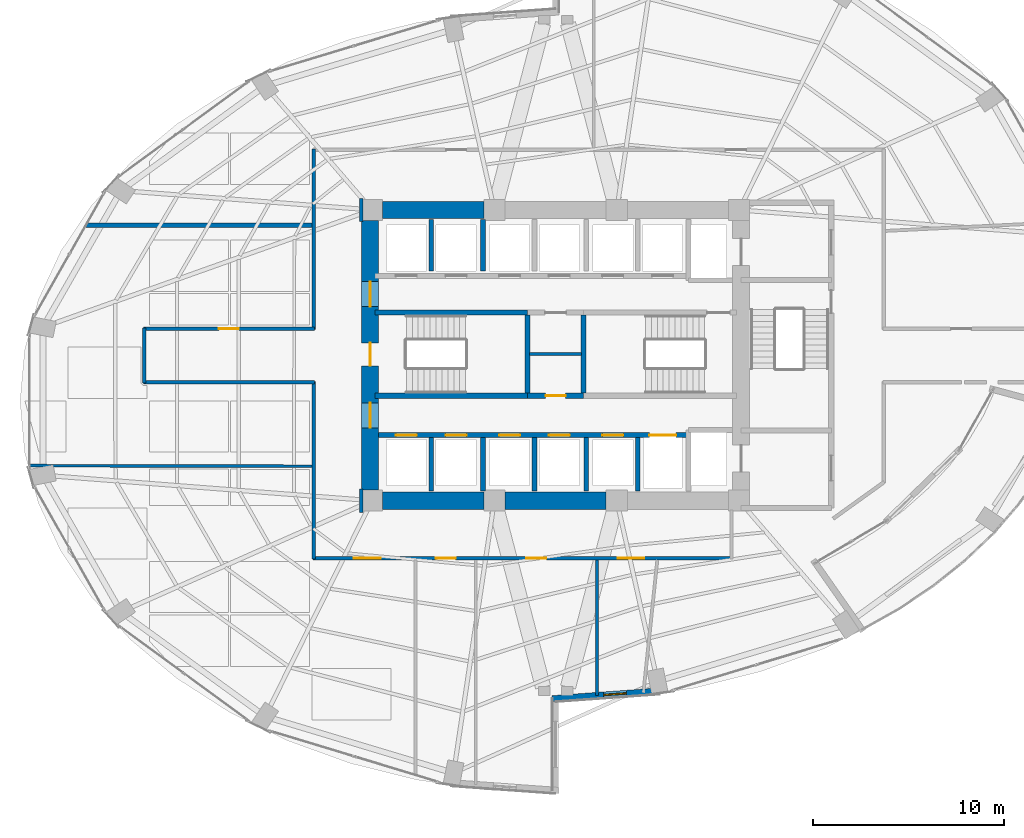
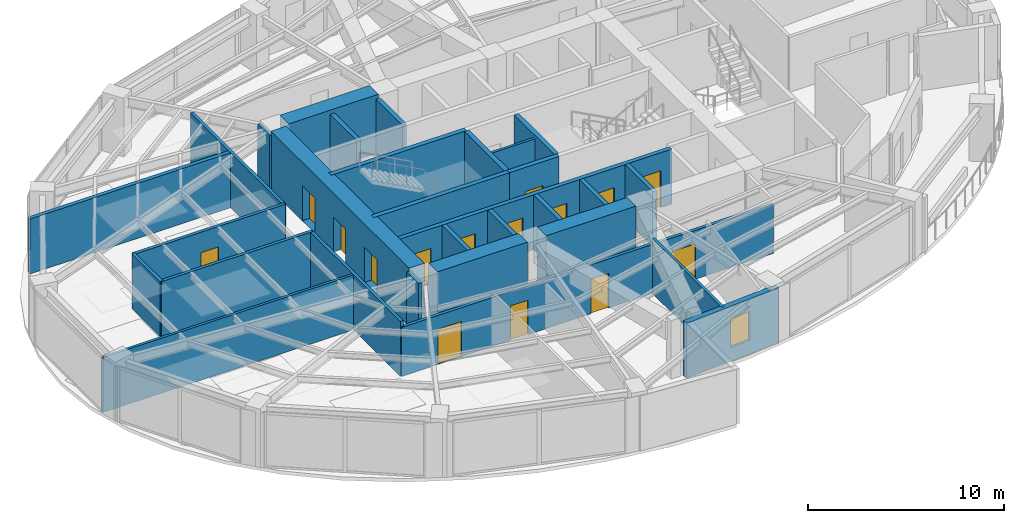
# One storey, part 20 of 24: 30 walls, 15 doors, 1 window, 16 openings.
"""IFC4 building model written with IfcOpenShell, lengths in metres."""

from ifc_helpers import new_model, si_unit, direction, frame, frame_2d, origin, place, context, subcontext, project, spatial, rectangle, extrude, material, layer, layer_set, type_object, element, fill, save


model = new_model("IFC4")

# Units and contexts
model_context = context("Model", 3, precision=1e-05, world=origin(), true_north=direction((0.0, 1.0)))
body_context = subcontext(model_context, "Body", "Model", "MODEL_VIEW")
ifc_project = project(units=[si_unit("LENGTHUNIT", "METRE"), si_unit("AREAUNIT", "SQUARE_METRE"), si_unit("VOLUMEUNIT", "CUBIC_METRE"), si_unit("PLANEANGLEUNIT", "RADIAN"), si_unit("MASSUNIT", "GRAM", prefix="KILO")], contexts=[model_context])

# Site, building, storey
site_placement = place(None, origin())
site = spatial("IfcSite", under=ifc_project, at=site_placement, CompositionType="ELEMENT")
building_placement = place(site_placement, origin())
building = spatial("IfcBuilding", under=site, at=building_placement, Name="Lazwardi Medical Tower", CompositionType="ELEMENT")
storey_placement = place(building_placement, frame((0.0, 0.0, 58.031982421875)))
storey = spatial("IfcBuildingStorey", under=building, at=storey_placement, Name="L14", CompositionType="ELEMENT", Elevation=58.031982421875)

# Wall
ifc_material_1 = material(Name="Fire-rated gypsum board on steel stud", Category="steel")
ifc_layer_1 = layer(ifc_material_1, 0.179931640625)
ifc_layer_set_1 = layer_set([ifc_layer_1], Name="Fire-rated gypsum board on steel stud")
wall_type_1 = type_object("IfcWallType", Name="WL-COR-180", PredefinedType="PARTITIONING", material=ifc_layer_set_1)
wall_1_placement = place(storey_placement, frame((14.5, 26.56005859375, 0.0), z_axis=(0.0, 0.0, 1.0), x_axis=(0.0, 1.0, 0.0)))
element("IfcWall", 1, at=wall_1_placement, inside=storey, type_object=wall_type_1, Name="L14 Corridor partition 1", PredefinedType="PARTITIONING", context=body_context, shape_type="SweptSolid", body=[
    extrude(rectangle(XDim=2.8798828125, YDim=0.179931640625, at=frame_2d((1.43994140625, 0.0))), origin(), (0.0, 0.0, 1.0), 3.427978515625),
])

# Wall, opening, door
wall_2_placement = place(storey_placement, frame((14.4599609375, 29.39990234375, 0.0), z_axis=(0.0, 0.0, 1.0), x_axis=(1.0, 0.0, 0.0)))
wall_2 = element("IfcWall", 2, at=wall_2_placement, inside=storey, type_object=wall_type_1, Name="L14 Corridor partition 2", PredefinedType="PARTITIONING", context=body_context, shape_type="SweptSolid", body=[
    extrude(rectangle(XDim=8.929931640625, YDim=0.179931640625, at=frame_2d((4.46484375, 0.0))), origin(), (0.0, 0.0, 1.0), 3.427978515625),
])
opening_1_placement = place(wall_2_placement, frame((3.93994140625, 0.0, 0.0)))
opening_1 = element("IfcOpeningElement", 3, at=opening_1_placement, cuts=wall_2, Name="Opening D-L14-014", PredefinedType="OPENING", context=body_context, shape_type="SweptSolid", body=[
    extrude(rectangle(XDim=1.050048828125, YDim=2.14990234375, at=frame_2d((0.52490234375, 1.074951171875))), frame((0.0, 0.099853515625, 0.0), z_axis=(0.0, -1.0, 0.0), x_axis=(1.0, 0.0, 0.0)), (0.0, 0.0, 1.0), 0.199951171875),
])
ifc_material_2 = material(Name="Anti-microbial laminate hospital leaf")
door_type_1 = type_object("IfcDoorType", Name="DR-CLN-1050", OperationType="NOTDEFINED", PredefinedType="DOOR", material=ifc_material_2)
door_1_placement = place(opening_1_placement, origin())
door_1 = element("IfcDoor", 4, at=door_1_placement, inside=storey, type_object=door_type_1, Name="L14 Clinical Specialist Office Door 08", OperationType="SINGLE_SWING_RIGHT", OverallHeight=2.14990234375, OverallWidth=1.050048828125, PredefinedType="DOOR", context=body_context, shape_type="SweptSolid", body=[
    extrude(rectangle(XDim=1.050048828125, YDim=2.14990234375, at=frame_2d((0.52490234375, 1.074951171875))), frame((0.0, 0.02490234375, 0.0), z_axis=(0.0, -1.0, 0.0), x_axis=(1.0, 0.0, 0.0)), (0.0, 0.0, 1.0), 0.050048828125),
])
fill(opening_1, door_1)

# Walls
wall_3_placement = place(storey_placement, frame((23.35009765625, 29.360107421875, 0.0), z_axis=(0.0, 0.0, 1.0), x_axis=(0.0, 1.0, 0.0)))
element("IfcWall", 5, at=wall_3_placement, inside=storey, type_object=wall_type_1, Name="L14 Corridor partition 3", PredefinedType="PARTITIONING", context=body_context, shape_type="SweptSolid", body=[
    extrude(rectangle(XDim=9.429931640625, YDim=0.179931640625, at=frame_2d((4.71484375, 0.0))), origin(), (0.0, 0.0, 1.0), 3.427978515625),
])
for number, where, z_axis, x_axis, name in (
    (6, (25.830078125, 36.2099609375, 0.0), (0.0, 0.0, 1.0), (0.0, -1.0, 0.0), "L14 Corridor partition 14"),
    (7, (25.830078125, 21.010009765625, 0.0), (0.0, 0.0, 1.0), (0.0, -1.0, 0.0), "L14 Corridor partition 15"),
):
    element("IfcWall", number, at=place(storey_placement, frame(where, z_axis=z_axis, x_axis=x_axis)), inside=storey, type_object=wall_type_1, Name=name, PredefinedType="PARTITIONING", context=body_context, shape_type="SweptSolid", body=[
        extrude(rectangle(XDim=1.219970703125, YDim=0.179931640625, at=frame_2d((0.60986328125, 0.0))), origin(), (0.0, 0.0, 1.0), 3.427978515625),
    ])

# Wall, openings, doors
wall_4_placement = place(storey_placement, frame((45.239990234375, 17.39990234375, 0.0), z_axis=(0.0, 0.0, 1.0), x_axis=(-1.0, 0.0, 0.0)))
wall_4 = element("IfcWall", 8, at=wall_4_placement, inside=storey, type_object=wall_type_1, Name="L14 Corridor partition 17", PredefinedType="PARTITIONING", context=body_context, shape_type="SweptSolid", body=[
    extrude(rectangle(XDim=21.929931640625, YDim=0.179931640625, at=frame_2d((10.96484375, 0.0))), origin(), (0.0, 0.0, 1.0), 3.052978515625),
])
opening_2_placement = place(wall_4_placement, frame((18.39111328125, 0.0, 0.0)))
opening_2 = element("IfcOpeningElement", 9, at=opening_2_placement, cuts=wall_4, Name="Opening D-L14-007", PredefinedType="OPENING", context=body_context, shape_type="SweptSolid", body=[
    extrude(rectangle(XDim=1.39990234375, YDim=2.199951171875, at=frame_2d((0.699951171875, 1.10009765625))), frame((0.0, 0.099853515625, 0.0), z_axis=(0.0, -1.0, 0.0), x_axis=(1.0, 0.0, 0.0)), (0.0, 0.0, 1.0), 0.199951171875),
])
opening_3_placement = place(wall_4_placement, frame((14.465087890625, 0.0, 0.0)))
opening_3 = element("IfcOpeningElement", 10, at=opening_3_placement, cuts=wall_4, Name="Opening D-L14-008", PredefinedType="OPENING", context=body_context, shape_type="SweptSolid", body=[
    extrude(rectangle(XDim=1.050048828125, YDim=2.14990234375, at=frame_2d((0.52490234375, 1.074951171875))), frame((0.0, 0.099853515625, 0.0), z_axis=(0.0, -1.0, 0.0), x_axis=(1.0, 0.0, 0.0)), (0.0, 0.0, 1.0), 0.199951171875),
])
opening_4_placement = place(wall_4_placement, frame((9.715087890625, 0.0, 0.0)))
opening_4 = element("IfcOpeningElement", 11, at=opening_4_placement, cuts=wall_4, Name="Opening D-L14-009", PredefinedType="OPENING", context=body_context, shape_type="SweptSolid", body=[
    extrude(rectangle(XDim=1.050048828125, YDim=2.14990234375, at=frame_2d((0.52490234375, 1.074951171875))), frame((0.0, 0.099853515625, 0.0), z_axis=(0.0, -1.0, 0.0), x_axis=(1.0, 0.0, 0.0)), (0.0, 0.0, 1.0), 0.199951171875),
])
opening_5_placement = place(wall_4_placement, frame((4.594482421875, 0.0, 0.0)))
opening_5 = element("IfcOpeningElement", 12, at=opening_5_placement, cuts=wall_4, Name="Opening D-L14-010", PredefinedType="OPENING", context=body_context, shape_type="SweptSolid", body=[
    extrude(rectangle(XDim=1.39990234375, YDim=2.199951171875, at=frame_2d((0.699951171875, 1.10009765625))), frame((0.0, 0.099853515625, 0.0), z_axis=(0.0, -1.0, 0.0), x_axis=(1.0, 0.0, 0.0)), (0.0, 0.0, 1.0), 0.199951171875),
])
door_type_2 = type_object("IfcDoorType", Name="DR-BED-1400", OperationType="NOTDEFINED", PredefinedType="DOOR", material=ifc_material_2)
door_2_placement = place(opening_2_placement, origin())
door_2 = element("IfcDoor", 13, at=door_2_placement, inside=storey, type_object=door_type_2, Name="L14 Sky Garden Lounge Door 01", OperationType="SINGLE_SWING_LEFT", OverallHeight=2.199951171875, OverallWidth=1.39990234375, PredefinedType="DOOR", context=body_context, shape_type="SweptSolid", body=[
    extrude(rectangle(XDim=1.39990234375, YDim=2.199951171875, at=frame_2d((0.699951171875, 1.10009765625))), frame((0.0, 0.02490234375, 0.0), z_axis=(0.0, -1.0, 0.0), x_axis=(1.0, 0.0, 0.0)), (0.0, 0.0, 1.0), 0.050048828125),
])
fill(opening_2, door_2)
door_3_placement = place(opening_5_placement, origin())
door_3 = element("IfcDoor", 14, at=door_3_placement, inside=storey, type_object=door_type_2, Name="L14 Department Reception Foyer Door 04", OperationType="SINGLE_SWING_RIGHT", OverallHeight=2.199951171875, OverallWidth=1.39990234375, PredefinedType="DOOR", context=body_context, shape_type="SweptSolid", body=[
    extrude(rectangle(XDim=1.39990234375, YDim=2.199951171875, at=frame_2d((0.699951171875, 1.10009765625))), frame((0.0, 0.02490234375, 0.0), z_axis=(0.0, -1.0, 0.0), x_axis=(1.0, 0.0, 0.0)), (0.0, 0.0, 1.0), 0.050048828125),
])
fill(opening_5, door_3)
door_4_placement = place(opening_3_placement, origin())
door_4 = element("IfcDoor", 15, at=door_4_placement, inside=storey, type_object=door_type_1, Name="L14 Outpatient Consultation Suite Door 02", OperationType="SINGLE_SWING_RIGHT", OverallHeight=2.14990234375, OverallWidth=1.050048828125, PredefinedType="DOOR", context=body_context, shape_type="SweptSolid", body=[
    extrude(rectangle(XDim=1.050048828125, YDim=2.14990234375, at=frame_2d((0.52490234375, 1.074951171875))), frame((0.0, 0.02490234375, 0.0), z_axis=(0.0, -1.0, 0.0), x_axis=(1.0, 0.0, 0.0)), (0.0, 0.0, 1.0), 0.050048828125),
])
fill(opening_3, door_4)
door_5_placement = place(opening_4_placement, origin())
door_5 = element("IfcDoor", 16, at=door_5_placement, inside=storey, type_object=door_type_1, Name="L14 Medical Duty Staff Room Door 03", OperationType="SINGLE_SWING_LEFT", OverallHeight=2.14990234375, OverallWidth=1.050048828125, PredefinedType="DOOR", context=body_context, shape_type="SweptSolid", body=[
    extrude(rectangle(XDim=1.050048828125, YDim=2.14990234375, at=frame_2d((0.52490234375, 1.074951171875))), frame((0.0, 0.02490234375, 0.0), z_axis=(0.0, -1.0, 0.0), x_axis=(1.0, 0.0, 0.0)), (0.0, 0.0, 1.0), 0.050048828125),
])
fill(opening_4, door_5)

# Walls
wall_5_placement = place(storey_placement, frame((23.35009765625, 17.360107421875, 0.0), z_axis=(0.0, 0.0, 1.0), x_axis=(0.0, 1.0, 0.0)))
element("IfcWall", 17, at=wall_5_placement, inside=storey, type_object=wall_type_1, Name="L14 Corridor partition 18", PredefinedType="PARTITIONING", context=body_context, shape_type="SweptSolid", body=[
    extrude(rectangle(XDim=9.27978515625, YDim=0.179931640625, at=frame_2d((4.639892578125, 0.0))), origin(), (0.0, 0.0, 1.0), 3.427978515625),
])
wall_6_placement = place(storey_placement, frame((23.389892578125, 26.60009765625, 0.0), z_axis=(0.0, 0.0, 1.0), x_axis=(-1.0, 0.0, 0.0)))
element("IfcWall", 18, at=wall_6_placement, inside=storey, type_object=wall_type_1, Name="L14 Corridor partition 19", PredefinedType="PARTITIONING", context=body_context, shape_type="SweptSolid", body=[
    extrude(rectangle(XDim=8.929931640625, YDim=0.179931640625, at=frame_2d((4.46484375, 0.0))), origin(), (0.0, 0.0, 1.0), 3.427978515625),
])

# Wall, openings, doors
ifc_material_3 = material(Name="Concrete C80/95", Category="concrete")
ifc_layer_2 = layer(ifc_material_3, 0.89990234375)
ifc_layer_set_2 = layer_set([ifc_layer_2], Name="Concrete C80/95")
wall_type_2 = type_object("IfcWallType", Name="WL-CORE-900", PredefinedType="SHEAR", material=ifc_layer_set_2)
wall_7_placement = place(storey_placement, frame((26.300048828125, 20.949951171875, 0.0), z_axis=(0.0, 0.0, 1.0), x_axis=(0.0, 1.0, 0.0)))
wall_7 = element("IfcWall", 19, at=wall_7_placement, inside=storey, type_object=wall_type_2, Name="Core wall CW-S1 west L14", PredefinedType="SHEAR", context=body_context, shape_type="SweptSolid", body=[
    extrude(rectangle(XDim=14.10009765625, YDim=0.89990234375, at=frame_2d((7.050048828125, 0.0))), origin(), (0.0, 0.0, 1.0), 3.64794921875),
])
opening_6_placement = place(wall_7_placement, frame((6.5, 0.0, 0.0)))
opening_6 = element("IfcOpeningElement", 20, at=opening_6_placement, cuts=wall_7, Name="Opening D-L14-015", PredefinedType="OPENING", context=body_context, shape_type="SweptSolid", body=[
    extrude(rectangle(XDim=1.199951171875, YDim=2.14990234375, at=frame_2d((0.60009765625, 1.074951171875))), frame((0.0, 0.4599609375, 0.0), z_axis=(0.0, -1.0, 0.0), x_axis=(1.0, 0.0, 0.0)), (0.0, 0.0, 1.0), 0.919921875),
])
opening_7_placement = place(wall_7_placement, frame((9.60009765625, 0.0, 0.0)))
opening_7 = element("IfcOpeningElement", 21, at=opening_7_placement, cuts=wall_7, Name="Opening D-L14-005", PredefinedType="OPENING", context=body_context, shape_type="SweptSolid", body=[
    extrude(rectangle(XDim=1.300048828125, YDim=2.199951171875, at=frame_2d((0.64990234375, 1.10009765625))), frame((0.0, 0.4599609375, 0.0), z_axis=(0.0, -1.0, 0.0), x_axis=(1.0, 0.0, 0.0)), (0.0, 0.0, 1.0), 0.919921875),
])
opening_8_placement = place(wall_7_placement, frame((3.260009765625, 0.0, 0.0)))
opening_8 = element("IfcOpeningElement", 22, at=opening_8_placement, cuts=wall_7, Name="Opening D-L14-006", PredefinedType="OPENING", context=body_context, shape_type="SweptSolid", body=[
    extrude(rectangle(XDim=1.300048828125, YDim=2.199951171875, at=frame_2d((0.64990234375, 1.10009765625))), frame((0.0, 0.4599609375, 0.0), z_axis=(0.0, -1.0, 0.0), x_axis=(1.0, 0.0, 0.0)), (0.0, 0.0, 1.0), 0.919921875),
])
ifc_material_4 = material(Name="Fire-rated steel leaf and frame", Category="steel")
door_type_3 = type_object("IfcDoorType", Name="DR-FFL-1300", OperationType="NOTDEFINED", PredefinedType="DOOR", material=ifc_material_4)
door_6_placement = place(opening_7_placement, origin())
door_6 = element("IfcDoor", 23, at=door_6_placement, inside=storey, type_object=door_type_3, Name="L14 North Lift Lobby Door", OperationType="SINGLE_SWING_RIGHT", OverallHeight=2.199951171875, OverallWidth=1.300048828125, PredefinedType="DOOR", context=body_context, shape_type="SweptSolid", body=[
    extrude(rectangle(XDim=1.300048828125, YDim=2.199951171875, at=frame_2d((0.64990234375, 1.10009765625))), frame((0.0, 0.02490234375, 0.0), z_axis=(0.0, -1.0, 0.0), x_axis=(1.0, 0.0, 0.0)), (0.0, 0.0, 1.0), 0.050048828125),
])
fill(opening_7, door_6)
door_7_placement = place(opening_8_placement, origin())
door_7 = element("IfcDoor", 24, at=door_7_placement, inside=storey, type_object=door_type_3, Name="L14 South Lift Lobby Door", OperationType="SINGLE_SWING_LEFT", OverallHeight=2.199951171875, OverallWidth=1.300048828125, PredefinedType="DOOR", context=body_context, shape_type="SweptSolid", body=[
    extrude(rectangle(XDim=1.300048828125, YDim=2.199951171875, at=frame_2d((0.64990234375, 1.10009765625))), frame((0.0, 0.02490234375, 0.0), z_axis=(0.0, -1.0, 0.0), x_axis=(1.0, 0.0, 0.0)), (0.0, 0.0, 1.0), 0.050048828125),
])
fill(opening_8, door_7)
door_type_4 = type_object("IfcDoorType", Name="DR-STR-1200", OperationType="NOTDEFINED", PredefinedType="DOOR", material=ifc_material_4)
door_8_placement = place(opening_6_placement, origin())
door_8 = element("IfcDoor", 25, at=door_8_placement, inside=storey, type_object=door_type_4, Name="L14 Exit Stair ST1 Door", OperationType="SINGLE_SWING_RIGHT", OverallHeight=2.14990234375, OverallWidth=1.199951171875, PredefinedType="DOOR", context=body_context, shape_type="SweptSolid", body=[
    extrude(rectangle(XDim=1.199951171875, YDim=2.14990234375, at=frame_2d((0.60009765625, 1.074951171875))), frame((0.0, 0.02490234375, 0.0), z_axis=(0.0, -1.0, 0.0), x_axis=(1.0, 0.0, 0.0)), (0.0, 0.0, 1.0), 0.050048828125),
])
fill(opening_6, door_8)

# Walls
for number, where, z_axis, x_axis, name in (
    (26, (26.949951171875, 20.39990234375, 0.0), (0.0, 0.0, 1.0), (1.0, 0.0, 0.0), "Core wall CW-S1 S1 L14"),
    (27, (26.949951171875, 35.60009765625, 0.0), (0.0, 0.0, 1.0), (1.0, 0.0, 0.0), "Core wall CW-S1 N1 L14"),
):
    element("IfcWall", number, at=place(storey_placement, frame(where, z_axis=z_axis, x_axis=x_axis)), inside=storey, type_object=wall_type_2, Name=name, PredefinedType="SHEAR", context=body_context, shape_type="SweptSolid", body=[
        extrude(rectangle(XDim=5.300048828125, YDim=0.89990234375, at=frame_2d((2.64990234375, 0.0))), origin(), (0.0, 0.0, 1.0), 3.64794921875),
    ])
wall_8_placement = place(storey_placement, frame((33.35009765625, 20.39990234375, 0.0), z_axis=(0.0, 0.0, 1.0), x_axis=(1.0, 0.0, 0.0)))
element("IfcWall", 28, at=wall_8_placement, inside=storey, type_object=wall_type_2, Name="Core wall CW-S1 S2 L14", PredefinedType="SHEAR", context=body_context, shape_type="SweptSolid", body=[
    extrude(rectangle(XDim=5.2998046875, YDim=0.89990234375, at=frame_2d((2.64990234375, 0.0))), origin(), (0.0, 0.0, 1.0), 3.64794921875),
])

# Wall, opening, window
ifc_material_5 = material(Name="Precast concrete C45/55", Category="concrete")
ifc_layer_3 = layer(ifc_material_5, 0.320068359375)
ifc_layer_set_3 = layer_set([ifc_layer_3], Name="Precast concrete C45/55")
wall_type_3 = type_object("IfcWallType", Name="WL-IWAN-320", PredefinedType="SOLIDWALL", material=ifc_layer_set_3)
wall_9_placement = place(storey_placement, frame((35.820556640625, 10.047119140625, 0.0), z_axis=(0.0, 0.0, 1.0), x_axis=(0.997422321809, 0.071754525696, 0.0)))
wall_9 = element("IfcWall", 29, at=wall_9_placement, inside=storey, type_object=wall_type_3, Name="L14 Iwan Portal Return Wall SE_ret", PredefinedType="SOLIDWALL", context=body_context, shape_type="SweptSolid", body=[
    extrude(rectangle(XDim=5.67529296875, YDim=0.320068359375, at=frame_2d((2.837646484375, 0.0))), origin(), (0.0, 0.0, 1.0), 3.427978515625),
])
opening_9_placement = place(wall_9_placement, frame((2.69677734375, 0.0, 0.85009765625)))
opening_9 = element("IfcOpeningElement", 30, at=opening_9_placement, cuts=wall_9, Name="Opening WN-04", PredefinedType="OPENING", context=body_context, shape_type="SweptSolid", body=[
    extrude(rectangle(XDim=1.199951171875, YDim=1.800048828125, at=frame_2d((0.60009765625, 0.89990234375))), frame((0.0, 0.169921875, 0.0), z_axis=(0.0, -1.0, 0.0), x_axis=(1.0, 0.0, 0.0)), (0.0, 0.0, 1.0), 0.340087890625),
])
ifc_material_6 = material(Name="Low-e bronze solar control double glazing", Category="glass")
window_type = type_object("IfcWindowType", Name="WIN-DRUM-1200", PartitioningType="SINGLE_PANEL", PredefinedType="WINDOW", material=ifc_material_6)
window_placement = place(opening_9_placement, origin())
window = element("IfcWindow", 31, at=window_placement, inside=storey, type_object=window_type, Name="L14 Iwan Slot Window SE_ret", OverallHeight=1.800048828125, OverallWidth=1.199951171875, PartitioningType="SINGLE_PANEL", PredefinedType="WINDOW", context=body_context, shape_type="SweptSolid", body=[
    extrude(rectangle(XDim=1.199951171875, YDim=1.800048828125, at=frame_2d((0.60009765625, 0.89990234375))), frame((0.0, 0.030029296875, 0.0), z_axis=(0.0, -1.0, 0.0), x_axis=(1.0, 0.0, 0.0)), (0.0, 0.0, 1.0), 0.06005859375),
])
fill(opening_9, window)

# Wall, openings, doors
ifc_material_7 = material(Name="Autoclaved aerated concrete blockwork", Category="masonry")
ifc_layer_4 = layer(ifc_material_7, 0.25)
ifc_layer_set_4 = layer_set([ifc_layer_4], Name="Autoclaved aerated concrete blockwork")
wall_type_4 = type_object("IfcWallType", Name="WL-SHAFT-250", PredefinedType="SOLIDWALL", material=ifc_layer_set_4)
wall_10_placement = place(storey_placement, frame((26.75, 23.830078125, 0.0), z_axis=(0.0, 0.0, 1.0), x_axis=(1.0, 0.0, 0.0)))
wall_10 = element("IfcWall", 32, at=wall_10_placement, inside=storey, type_object=wall_type_4, Name="L14 South lift bank front wall", PredefinedType="SOLIDWALL", context=body_context, shape_type="SweptSolid", body=[
    extrude(rectangle(XDim=16.199951171875, YDim=0.25, at=frame_2d((8.10009765625, 0.0))), origin(), (0.0, 0.0, 1.0), 3.427978515625),
])
opening_10_placement = place(wall_10_placement, frame((0.89990234375, 0.0, 0.0)))
opening_10 = element("IfcOpeningElement", 33, at=opening_10_placement, cuts=wall_10, Name="Opening LD-L14-006", PredefinedType="OPENING", context=body_context, shape_type="SweptSolid", body=[
    extrude(rectangle(XDim=1.10009765625, YDim=2.199951171875, at=frame_2d((0.550048828125, 1.10009765625))), frame((0.0, 0.135009765625, 0.0), z_axis=(0.0, -1.0, 0.0), x_axis=(1.0, 0.0, 0.0)), (0.0, 0.0, 1.0), 0.27001953125),
])
opening_11_placement = place(wall_10_placement, frame((3.5, 0.0, 0.0)))
opening_11 = element("IfcOpeningElement", 34, at=opening_11_placement, cuts=wall_10, Name="Opening LD-L14-007", PredefinedType="OPENING", context=body_context, shape_type="SweptSolid", body=[
    extrude(rectangle(XDim=1.10009765625, YDim=2.199951171875, at=frame_2d((0.550048828125, 1.10009765625))), frame((0.0, 0.135009765625, 0.0), z_axis=(0.0, -1.0, 0.0), x_axis=(1.0, 0.0, 0.0)), (0.0, 0.0, 1.0), 0.27001953125),
])
opening_12_placement = place(wall_10_placement, frame((6.300048828125, 0.0, 0.0)))
opening_12 = element("IfcOpeningElement", 35, at=opening_12_placement, cuts=wall_10, Name="Opening LD-L14-010", PredefinedType="OPENING", context=body_context, shape_type="SweptSolid", body=[
    extrude(rectangle(XDim=1.10009765625, YDim=2.199951171875, at=frame_2d((0.550048828125, 1.10009765625))), frame((0.0, 0.135009765625, 0.0), z_axis=(0.0, -1.0, 0.0), x_axis=(1.0, 0.0, 0.0)), (0.0, 0.0, 1.0), 0.27001953125),
])
opening_13_placement = place(wall_10_placement, frame((8.89990234375, 0.0, 0.0)))
opening_13 = element("IfcOpeningElement", 36, at=opening_13_placement, cuts=wall_10, Name="Opening LD-L14-011", PredefinedType="OPENING", context=body_context, shape_type="SweptSolid", body=[
    extrude(rectangle(XDim=1.10009765625, YDim=2.199951171875, at=frame_2d((0.550048828125, 1.10009765625))), frame((0.0, 0.135009765625, 0.0), z_axis=(0.0, -1.0, 0.0), x_axis=(1.0, 0.0, 0.0)), (0.0, 0.0, 1.0), 0.27001953125),
])
opening_14_placement = place(wall_10_placement, frame((11.699951171875, 0.0, 0.0)))
opening_14 = element("IfcOpeningElement", 37, at=opening_14_placement, cuts=wall_10, Name="Opening LD-L14-014", PredefinedType="OPENING", context=body_context, shape_type="SweptSolid", body=[
    extrude(rectangle(XDim=1.10009765625, YDim=2.199951171875, at=frame_2d((0.550048828125, 1.10009765625))), frame((0.0, 0.135009765625, 0.0), z_axis=(0.0, -1.0, 0.0), x_axis=(1.0, 0.0, 0.0)), (0.0, 0.0, 1.0), 0.27001953125),
])
opening_15_placement = place(wall_10_placement, frame((14.14990234375, 0.0, 0.0)))
opening_15 = element("IfcOpeningElement", 38, at=opening_15_placement, cuts=wall_10, Name="Opening LD-L14-003", PredefinedType="OPENING", context=body_context, shape_type="SweptSolid", body=[
    extrude(rectangle(XDim=1.39990234375, YDim=2.300048828125, at=frame_2d((0.699951171875, 1.14990234375))), frame((0.0, 0.135009765625, 0.0), z_axis=(0.0, -1.0, 0.0), x_axis=(1.0, 0.0, 0.0)), (0.0, 0.0, 1.0), 0.27001953125),
])
ifc_material_8 = material(Name="Brushed bronze stainless steel landing door", Category="steel")
door_type_5 = type_object("IfcDoorType", Name="DR-LFT-1100", OperationType="NOTDEFINED", PredefinedType="DOOR", material=ifc_material_8)
door_9_placement = place(opening_10_placement, origin())
door_9 = element("IfcDoor", 39, at=door_9_placement, inside=storey, type_object=door_type_5, Name="L14 Lift Landing Door PL-03", OperationType="SLIDING_TO_LEFT", OverallHeight=2.199951171875, OverallWidth=1.10009765625, PredefinedType="DOOR", context=body_context, shape_type="SweptSolid", body=[
    extrude(rectangle(XDim=1.10009765625, YDim=2.199951171875, at=frame_2d((0.550048828125, 1.10009765625))), frame((0.0, 0.02490234375, 0.0), z_axis=(0.0, -1.0, 0.0), x_axis=(1.0, 0.0, 0.0)), (0.0, 0.0, 1.0), 0.050048828125),
])
fill(opening_10, door_9)
door_10_placement = place(opening_11_placement, origin())
door_10 = element("IfcDoor", 40, at=door_10_placement, inside=storey, type_object=door_type_5, Name="L14 Lift Landing Door PL-04", OperationType="SLIDING_TO_LEFT", OverallHeight=2.199951171875, OverallWidth=1.10009765625, PredefinedType="DOOR", context=body_context, shape_type="SweptSolid", body=[
    extrude(rectangle(XDim=1.10009765625, YDim=2.199951171875, at=frame_2d((0.550048828125, 1.10009765625))), frame((0.0, 0.02490234375, 0.0), z_axis=(0.0, -1.0, 0.0), x_axis=(1.0, 0.0, 0.0)), (0.0, 0.0, 1.0), 0.050048828125),
])
fill(opening_11, door_10)
door_11_placement = place(opening_12_placement, origin())
door_11 = element("IfcDoor", 41, at=door_11_placement, inside=storey, type_object=door_type_5, Name="L14 Lift Landing Door PL-07", OperationType="SLIDING_TO_LEFT", OverallHeight=2.199951171875, OverallWidth=1.10009765625, PredefinedType="DOOR", context=body_context, shape_type="SweptSolid", body=[
    extrude(rectangle(XDim=1.10009765625, YDim=2.199951171875, at=frame_2d((0.550048828125, 1.10009765625))), frame((0.0, 0.02490234375, 0.0), z_axis=(0.0, -1.0, 0.0), x_axis=(1.0, 0.0, 0.0)), (0.0, 0.0, 1.0), 0.050048828125),
])
fill(opening_12, door_11)
door_12_placement = place(opening_13_placement, origin())
door_12 = element("IfcDoor", 42, at=door_12_placement, inside=storey, type_object=door_type_5, Name="L14 Lift Landing Door PL-08", OperationType="SLIDING_TO_LEFT", OverallHeight=2.199951171875, OverallWidth=1.10009765625, PredefinedType="DOOR", context=body_context, shape_type="SweptSolid", body=[
    extrude(rectangle(XDim=1.10009765625, YDim=2.199951171875, at=frame_2d((0.550048828125, 1.10009765625))), frame((0.0, 0.02490234375, 0.0), z_axis=(0.0, -1.0, 0.0), x_axis=(1.0, 0.0, 0.0)), (0.0, 0.0, 1.0), 0.050048828125),
])
fill(opening_13, door_12)
door_13_placement = place(opening_14_placement, origin())
door_13 = element("IfcDoor", 43, at=door_13_placement, inside=storey, type_object=door_type_5, Name="L14 Lift Landing Door PL-11", OperationType="SLIDING_TO_LEFT", OverallHeight=2.199951171875, OverallWidth=1.10009765625, PredefinedType="DOOR", context=body_context, shape_type="SweptSolid", body=[
    extrude(rectangle(XDim=1.10009765625, YDim=2.199951171875, at=frame_2d((0.550048828125, 1.10009765625))), frame((0.0, 0.02490234375, 0.0), z_axis=(0.0, -1.0, 0.0), x_axis=(1.0, 0.0, 0.0)), (0.0, 0.0, 1.0), 0.050048828125),
])
fill(opening_14, door_13)
ifc_material_9 = material(Name="Brushed stainless steel bed-lift landing door", Category="steel")
door_type_6 = type_object("IfcDoorType", Name="DR-LFT-1400", OperationType="NOTDEFINED", PredefinedType="DOOR", material=ifc_material_9)
door_14_placement = place(opening_15_placement, origin())
door_14 = element("IfcDoor", 44, at=door_14_placement, inside=storey, type_object=door_type_6, Name="L14 Lift Landing Door FL-03", OperationType="SLIDING_TO_LEFT", OverallHeight=2.300048828125, OverallWidth=1.39990234375, PredefinedType="DOOR", context=body_context, shape_type="SweptSolid", body=[
    extrude(rectangle(XDim=1.39990234375, YDim=2.300048828125, at=frame_2d((0.699951171875, 1.14990234375))), frame((0.0, 0.02490234375, 0.0), z_axis=(0.0, -1.0, 0.0), x_axis=(1.0, 0.0, 0.0)), (0.0, 0.0, 1.0), 0.050048828125),
])
fill(opening_15, door_14)

# Walls
wall_11_placement = place(storey_placement, frame((29.5, 32.419921875, 0.0), z_axis=(0.0, 0.0, 1.0), x_axis=(0.0, 1.0, 0.0)))
element("IfcWall", 45, at=wall_11_placement, inside=storey, type_object=wall_type_4, Name="L14 North hoistway divider", PredefinedType="SOLIDWALL", context=body_context, shape_type="SweptSolid", body=[
    extrude(rectangle(XDim=2.68017578125, YDim=0.25, at=frame_2d((1.340087890625, 0.0))), origin(), (0.0, 0.0, 1.0), 3.427978515625),
])
wall_12_placement = place(storey_placement, frame((29.5, 20.89990234375, 0.0), z_axis=(0.0, 0.0, 1.0), x_axis=(0.0, 1.0, 0.0)))
element("IfcWall", 46, at=wall_12_placement, inside=storey, type_object=wall_type_4, Name="L14 South hoistway divider", PredefinedType="SOLIDWALL", context=body_context, shape_type="SweptSolid", body=[
    extrude(rectangle(XDim=2.800048828125, YDim=0.25, at=frame_2d((1.39990234375, 0.0))), origin(), (0.0, 0.0, 1.0), 3.427978515625),
])
wall_13_placement = place(storey_placement, frame((32.199951171875, 32.419921875, 0.0), z_axis=(0.0, 0.0, 1.0), x_axis=(0.0, 1.0, 0.0)))
element("IfcWall", 47, at=wall_13_placement, inside=storey, type_object=wall_type_4, Name="L14 North hoistway divider", PredefinedType="SOLIDWALL", context=body_context, shape_type="SweptSolid", body=[
    extrude(rectangle(XDim=2.68017578125, YDim=0.25, at=frame_2d((1.340087890625, 0.0))), origin(), (0.0, 0.0, 1.0), 3.427978515625),
])
for number, where, z_axis, x_axis, name in (
    (48, (32.199951171875, 20.89990234375, 0.0), (0.0, 0.0, 1.0), (0.0, 1.0, 0.0), "L14 South hoistway divider"),
    (49, (34.89990234375, 20.89990234375, 0.0), (0.0, 0.0, 1.0), (0.0, 1.0, 0.0), "L14 South hoistway divider"),
    (50, (37.60009765625, 20.89990234375, 0.0), (0.0, 0.0, 1.0), (0.0, 1.0, 0.0), "L14 South hoistway divider"),
    (51, (40.300048828125, 20.89990234375, 0.0), (0.0, 0.0, 1.0), (0.0, 1.0, 0.0), "L14 South hoistway divider"),
):
    element("IfcWall", number, at=place(storey_placement, frame(where, z_axis=z_axis, x_axis=x_axis)), inside=storey, type_object=wall_type_4, Name=name, PredefinedType="SOLIDWALL", context=body_context, shape_type="SweptSolid", body=[
        extrude(rectangle(XDim=2.800048828125, YDim=0.25, at=frame_2d((1.39990234375, 0.0))), origin(), (0.0, 0.0, 1.0), 3.427978515625),
    ])
ifc_layer_5 = layer(ifc_material_1, 0.219970703125)
ifc_layer_set_5 = layer_set([ifc_layer_5], Name="Fire-rated gypsum board on steel stud")
wall_type_5 = type_object("IfcWallType", Name="WL-SMK-220", PredefinedType="PARTITIONING", material=ifc_layer_set_5)
wall_14_placement = place(storey_placement, frame((11.45068359375, 34.800048828125, 0.0), z_axis=(0.0, 0.0, 1.0), x_axis=(1.0, 0.0, 0.0)))
element("IfcWall", 52, at=wall_14_placement, inside=storey, type_object=wall_type_5, Name="L14 Room partition 2", PredefinedType="PARTITIONING", context=body_context, shape_type="SweptSolid", body=[
    extrude(rectangle(XDim=11.809326171875, YDim=0.219970703125, at=frame_2d((5.90478515625, 0.0))), origin(), (0.0, 0.0, 1.0), 3.427978515625),
])
ifc_material_10 = material(Name="Concrete C50/60", Category="concrete")
ifc_layer_6 = layer(ifc_material_10, 0.27001953125)
ifc_layer_set_6 = layer_set([ifc_layer_6], Name="Concrete C50/60")
wall_type_6 = type_object("IfcWallType", Name="WL-STR-250", PredefinedType="SHEAR", material=ifc_layer_set_6)
for number, where, z_axis, x_axis, name in (
    (53, (26.550048828125, 30.235107421875, 0.0), (0.0, 0.0, 1.0), (1.0, 0.0, 0.0), "L14 ST1 North shear shaft wall SW-S1"),
    (54, (26.550048828125, 25.885009765625, 0.0), (0.0, 0.0, 1.0), (1.0, 0.0, 0.0), "L14 ST1 South shear shaft wall SW-S1"),
):
    element("IfcWall", number, at=place(storey_placement, frame(where, z_axis=z_axis, x_axis=x_axis)), inside=storey, type_object=wall_type_6, Name=name, PredefinedType="SHEAR", context=body_context, shape_type="SweptSolid", body=[
        extrude(rectangle(XDim=7.98486328125, YDim=0.27001953125, at=frame_2d((3.992431640625, 0.0))), origin(), (0.0, 0.0, 1.0), 3.64794921875),
    ])

# Wall, opening, door
wall_15_placement = place(storey_placement, frame((34.534912109375, 25.885009765625, 0.0), z_axis=(0.0, 0.0, 1.0), x_axis=(1.0, 0.0, 0.0)))
wall_15 = element("IfcWall", 55, at=wall_15_placement, inside=storey, type_object=wall_type_6, Name="L14 Core service South shear wall SW-S1", PredefinedType="SHEAR", context=body_context, shape_type="SweptSolid", body=[
    extrude(rectangle(XDim=2.93017578125, YDim=0.27001953125, at=frame_2d((1.465087890625, 0.0))), origin(), (0.0, 0.0, 1.0), 3.64794921875),
])
opening_16_placement = place(wall_15_placement, frame((0.93994140625, 0.0, 0.0)))
opening_16 = element("IfcOpeningElement", 56, at=opening_16_placement, cuts=wall_15, Name="Opening D-L14-001", PredefinedType="OPENING", context=body_context, shape_type="SweptSolid", body=[
    extrude(rectangle(XDim=1.050048828125, YDim=2.14990234375, at=frame_2d((0.52490234375, 1.074951171875))), frame((0.0, 0.14501953125, 0.0), z_axis=(0.0, -1.0, 0.0), x_axis=(1.0, 0.0, 0.0)), (0.0, 0.0, 1.0), 0.2900390625),
])
door_15_placement = place(opening_16_placement, origin())
door_15 = element("IfcDoor", 57, at=door_15_placement, inside=storey, type_object=door_type_1, Name="L14 Dirty Sluice Door", OperationType="SINGLE_SWING_RIGHT", OverallHeight=2.14990234375, OverallWidth=1.050048828125, PredefinedType="DOOR", context=body_context, shape_type="SweptSolid", body=[
    extrude(rectangle(XDim=1.050048828125, YDim=2.14990234375, at=frame_2d((0.52490234375, 1.074951171875))), frame((0.0, 0.02490234375, 0.0), z_axis=(0.0, -1.0, 0.0), x_axis=(1.0, 0.0, 0.0)), (0.0, 0.0, 1.0), 0.050048828125),
])
fill(opening_16, door_15)

# Walls
for number, where, z_axis, x_axis, name in (
    (58, (34.534912109375, 26.02001953125, 0.0), (0.0, 0.0, 1.0), (0.0, 1.0, 0.0), "L14 ST1 East shear shaft wall SW-S1"),
    (59, (37.465087890625, 26.02001953125, 0.0), (0.0, 0.0, 1.0), (0.0, 1.0, 0.0), "L14 ST2 West shear shaft wall SW-S1"),
):
    element("IfcWall", number, at=place(storey_placement, frame(where, z_axis=z_axis, x_axis=x_axis)), inside=storey, type_object=wall_type_6, Name=name, PredefinedType="SHEAR", context=body_context, shape_type="SweptSolid", body=[
        extrude(rectangle(XDim=4.080078125, YDim=0.27001953125, at=frame_2d((2.0400390625, 0.0))), origin(), (0.0, 0.0, 1.0), 3.64794921875),
    ])
ifc_material_11 = material(Name="Acoustic gypsum board partition")
ifc_layer_7 = layer(ifc_material_11, 0.14990234375)
ifc_layer_set_7 = layer_set([ifc_layer_7], Name="Acoustic gypsum board partition")
wall_type_7 = type_object("IfcWallType", Name="WL-WRD-150", PredefinedType="PARTITIONING", material=ifc_layer_set_7)
wall_16_placement = place(storey_placement, frame((34.64990234375, 28.06005859375, 0.0), z_axis=(0.0, 0.0, 1.0), x_axis=(1.0, 0.0, 0.0)))
element("IfcWall", 60, at=wall_16_placement, inside=storey, type_object=wall_type_7, Name="L14 Core service divider", PredefinedType="PARTITIONING", context=body_context, shape_type="SweptSolid", body=[
    extrude(rectangle(XDim=2.7001953125, YDim=0.14990234375, at=frame_2d((1.35009765625, 0.0))), origin(), (0.0, 0.0, 1.0), 3.427978515625),
])
wall_17_placement = place(storey_placement, frame((8.492919921875, 22.2314453125, 0.0), z_axis=(0.0, 0.0, 1.0), x_axis=(0.999997760873, -0.002116187438, 0.0)))
element("IfcWall", 61, at=wall_17_placement, inside=storey, type_object=wall_type_7, Name="L14 Room partition 1", PredefinedType="PARTITIONING", context=body_context, shape_type="SweptSolid", body=[
    extrude(rectangle(XDim=14.76708984375, YDim=0.14990234375, at=frame_2d((7.383544921875, 0.0))), origin(), (0.0, 0.0, 1.0), 3.427978515625),
])
wall_18_placement = place(storey_placement, frame((38.169921875, 10.226806640625, 0.0), z_axis=(0.0, 0.0, 1.0), x_axis=(0.0, 1.0, 0.0)))
element("IfcWall", 62, at=wall_18_placement, inside=storey, type_object=wall_type_7, Name="L14 Room partition 7", PredefinedType="PARTITIONING", context=body_context, shape_type="SweptSolid", body=[
    extrude(rectangle(XDim=7.083251953125, YDim=0.14990234375, at=frame_2d((3.54150390625, 0.0))), origin(), (0.0, 0.0, 1.0), 3.427978515625),
])

save(model, "model.ifc")
